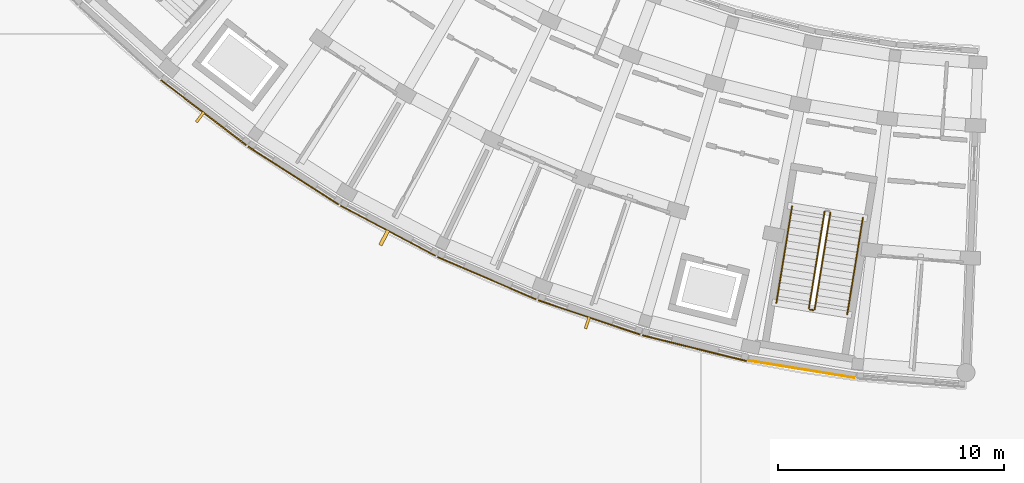
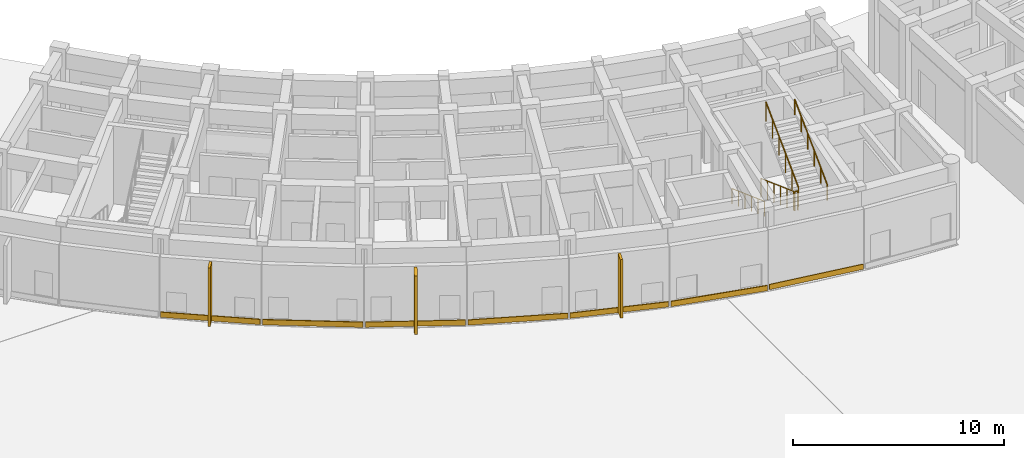
# One storey, part 50 of 61: 7 coverings, 5 railings, 3 shading devices.
"""IFC4 building model written with IfcOpenShell, lengths in metres."""

import ifcopenshell
import ifcopenshell.guid

model = None  # the IFC model being written
_history = None  # IfcOwnerHistory: only IFC2X3 demands one
_inside = {}  # id of a spatial element -> (the spatial element, [elements in it])
_under = {}  # id of a project, library or spatial element -> (it, [spatial elements below it])
_declared = {}  # id of a project -> (the project, [libraries it declares])
_typed = {}  # id of a type object -> (the type object, [elements of that type])
_made_of = {}  # id of a material, layer set ... -> (it, [elements and type objects made of it])


def new_model(schema):
    """Start an empty IFC model of exactly this schema.

    Asked for "IFC4X3", IfcOpenShell would pick the latest addendum, in which some entities
    have other attributes; the version numbers below select the first issue.
    IFC2X3 requires an IfcOwnerHistory on every rooted entity: one is made here for all.
    """
    global model, _history
    if schema == "IFC4X3":
        model = ifcopenshell.file(schema_version=(4, 3, 0, 0))
    else:
        model = ifcopenshell.file(schema=schema)
    _inside.clear()
    _under.clear()
    _declared.clear()
    _typed.clear()
    _made_of.clear()
    _history = None
    if model.schema == "IFC2X3":
        org = make("IfcOrganization", Name="unknown")
        user = make(
            "IfcPersonAndOrganization",
            ThePerson=make("IfcPerson", FamilyName="unknown"),
            TheOrganization=org,
        )
        app = make(
            "IfcApplication",
            ApplicationDeveloper=org,
            Version="unknown",
            ApplicationFullName="unknown",
            ApplicationIdentifier="unknown",
        )
        _history = make(
            "IfcOwnerHistory",
            OwningUser=user,
            OwningApplication=app,
            ChangeAction="ADDED",
            CreationDate=0,
        )
    return model


def make(cls, **values):
    """One entity of the class cls with the attributes given. An attribute that is None is left unset."""
    return model.create_entity(
        cls, **{name: value for name, value in values.items() if value is not None}
    )


def rooted(cls, **values):
    """An entity with a GlobalId (a new one), such as an element, a storey or a relation."""
    return make(cls, GlobalId=ifcopenshell.guid.new(), OwnerHistory=_history, **values)


def si_unit(unit_type, name, prefix=None):
    """IfcSIUnit, for example si_unit("LENGTHUNIT", "METRE", prefix="MILLI")."""
    return make("IfcSIUnit", UnitType=unit_type, Prefix=prefix, Name=name)


def assignment(units):
    """IfcUnitAssignment: the units of a project."""
    return None if units is None else make("IfcUnitAssignment", Units=units)


def point(xyz):
    """IfcCartesianPoint."""
    return None if xyz is None else make("IfcCartesianPoint", Coordinates=xyz)


def direction(xyz):
    """IfcDirection."""
    return None if xyz is None else make("IfcDirection", DirectionRatios=xyz)


def frame(location, z_axis=None, x_axis=None):
    """IfcAxis2Placement3D, a coordinate frame: its origin and axes. An axis left out is left unset."""
    return make(
        "IfcAxis2Placement3D",
        Location=point(location),
        Axis=direction(z_axis),
        RefDirection=direction(x_axis),
    )


def frame_2d(location, x_axis=None):
    """IfcAxis2Placement2D, a coordinate frame in the plane: its origin and x axis."""
    return make(
        "IfcAxis2Placement2D", Location=point(location), RefDirection=direction(x_axis)
    )


def origin():
    """The frame at (0, 0, 0) with its axes left unset."""
    return frame((0.0, 0.0, 0.0))


def origin_2d():
    """The frame at (0, 0) in the plane with its x axis left unset."""
    return frame_2d((0.0, 0.0))


def place(relative_to, where):
    """IfcLocalPlacement: puts the frame where relative to a parent placement (None: the world)."""
    return make(
        "IfcLocalPlacement", PlacementRelTo=relative_to, RelativePlacement=where
    )


def context(
    kind, dimensions, precision=None, world=None, true_north=None, identifier=None
):
    """IfcGeometricRepresentationContext, for example the 3D "Model" context."""
    return make(
        "IfcGeometricRepresentationContext",
        ContextIdentifier=identifier,
        ContextType=kind,
        CoordinateSpaceDimension=dimensions,
        Precision=precision,
        WorldCoordinateSystem=world,
        TrueNorth=true_north,
    )


def subcontext(parent, identifier, kind, view, scale=None):
    """IfcGeometricRepresentationSubContext, for example "Body" below "Model"."""
    return make(
        "IfcGeometricRepresentationSubContext",
        ContextIdentifier=identifier,
        ContextType=kind,
        ParentContext=parent,
        TargetScale=scale,
        TargetView=view,
    )


def project(units=None, contexts=None):
    """IfcProject with its units and contexts."""
    return rooted(
        "IfcProject",
        Name="project",
        RepresentationContexts=contexts,
        UnitsInContext=assignment(units),
    )


def spatial(cls, under=None, at=None, **own):
    """A site, building, storey or space (cls), placed at a placement, below another one or the project."""
    s = rooted(cls, ObjectPlacement=at, **own)
    if under is not None:
        _under.setdefault(under.id(), (under, []))[1].append(s)
    return s


def profile(cls, at=None, kind="AREA", **sizes):
    """A parametric profile (cls). Its sizes go by their IFC names, for example OverallWidth=200.0."""
    return make(cls, ProfileType=kind, Position=at, **sizes)


def rectangle(**sizes):
    """IfcRectangleProfileDef."""
    return profile("IfcRectangleProfileDef", **sizes)


def circle(**sizes):
    """IfcCircleProfileDef."""
    return profile("IfcCircleProfileDef", **sizes)


def extrude(swept, where, along, depth):
    """IfcExtrudedAreaSolid: the profile swept, set in the frame where, extruded along a direction by depth."""
    return make(
        "IfcExtrudedAreaSolid",
        SweptArea=swept,
        Position=where,
        ExtrudedDirection=direction(along),
        Depth=depth,
    )


def shape(context_of_items, identifier, shape_type, items):
    """IfcShapeRepresentation: the items that make up one representation, for example the "Body"."""
    return make(
        "IfcShapeRepresentation",
        ContextOfItems=context_of_items,
        RepresentationIdentifier=identifier,
        RepresentationType=shape_type,
        Items=items,
    )


def material(Name=None, Category=None):
    """IfcMaterial."""
    return make("IfcMaterial", Name=Name, Category=Category)


def layer(
    of_material, thickness, ventilated=None, Name=None, Category=None, Priority=None
):
    """IfcMaterialLayer: one layer of a wall or slab, of a material (None: an air gap)."""
    return make(
        "IfcMaterialLayer",
        Material=of_material,
        LayerThickness=thickness,
        IsVentilated=ventilated,
        Name=Name,
        Category=Category,
        Priority=Priority,
    )


def layer_set(layers, Name=None):
    """IfcMaterialLayerSet."""
    return make("IfcMaterialLayerSet", MaterialLayers=layers, LayerSetName=Name)


def made_of(thing, what):
    """Note that an element or type object is made of a material, layer set ...; save() writes the relation."""
    if what is not None:
        _made_of.setdefault(what.id(), (what, []))[1].append(thing)
    return thing


def type_object(cls, material=None, **own):
    """A type object (cls), such as IfcWallType, which elements share."""
    return made_of(rooted(cls, **own), material)


def element(
    cls,
    number,
    at=None,
    inside=None,
    cuts=None,
    type_object=None,
    material=None,
    context=None,
    identifier="Body",
    shape_type=None,
    held_by="IfcProductDefinitionShape",
    body=None,
    shapes=None,
    **own,
):
    """One element of the class cls, such as IfcWall. Its Tag is "e" and its number.

    at: its placement. inside: the storey or other place that contains it. cuts: it is an
    opening in that element (IfcRelVoidsElement). A single representation is given by context,
    identifier, shape_type and body (its items); several are given by shapes. held_by: the class
    of the entity that holds the representations. save() writes the other relations.
    """
    e = rooted(cls, Tag="e%d" % number, ObjectPlacement=at, **own)
    if body is not None:
        shapes = [shape(context, identifier, shape_type, body)]
    if shapes is not None:
        e.Representation = make(held_by, Representations=shapes)
    if inside is not None:
        _inside.setdefault(inside.id(), (inside, []))[1].append(e)
    if cuts is not None:
        rooted(
            "IfcRelVoidsElement", RelatingBuildingElement=cuts, RelatedOpeningElement=e
        )
    if type_object is not None:
        _typed.setdefault(type_object.id(), (type_object, []))[1].append(e)
    return made_of(e, material)


def aggregate(whole, parts):
    """IfcRelAggregates: a whole, such as a stair, and the parts it consists of."""
    return rooted("IfcRelAggregates", RelatingObject=whole, RelatedObjects=parts)


def save(model, path):
    """Write the relations noted so far, then the file.

    IfcRelAggregates (storeys below a building ...), IfcRelContainedInSpatialStructure (elements
    in a storey), IfcRelDefinesByType, IfcRelAssociatesMaterial and IfcRelDeclares: one each for
    every whole, place, type object, material and project.
    """
    for whole, parts in _under.values():
        aggregate(whole, parts)
    for where, things in _inside.values():
        rooted(
            "IfcRelContainedInSpatialStructure",
            RelatedElements=things,
            RelatingStructure=where,
        )
    for kind, things in _typed.values():
        rooted("IfcRelDefinesByType", RelatedObjects=things, RelatingType=kind)
    for what, things in _made_of.values():
        rooted("IfcRelAssociatesMaterial", RelatedObjects=things, RelatingMaterial=what)
    for by, libraries in _declared.values():
        rooted("IfcRelDeclares", RelatingContext=by, RelatedDefinitions=libraries)
    model.write(path)


model = new_model("IFC4")

# Units and contexts
model_context = context("Model", 3, precision=1e-05, world=origin(), true_north=direction((0.0, 1.0)))
body_context = subcontext(model_context, "Body", "Model", "MODEL_VIEW")
ifc_project = project(units=[si_unit("LENGTHUNIT", "METRE"), si_unit("AREAUNIT", "SQUARE_METRE"), si_unit("VOLUMEUNIT", "CUBIC_METRE"), si_unit("PLANEANGLEUNIT", "RADIAN"), si_unit("MASSUNIT", "GRAM", prefix="KILO")], contexts=[model_context])

# Site, building, storey
site_placement = place(None, origin())
site = spatial("IfcSite", under=ifc_project, at=site_placement, CompositionType="ELEMENT")
building_placement = place(site_placement, origin())
building = spatial("IfcBuilding", under=site, at=building_placement, Name="Zimvara Arc Housing Community", CompositionType="ELEMENT")
storey_placement = place(building_placement, origin())
storey = spatial("IfcBuildingStorey", under=building, at=storey_placement, Name="L00", CompositionType="ELEMENT", Elevation=0.0)

# Coverings
ifc_material_1 = material(Name="Pale-Gold Anodised Aluminium Cladding", Category="aluminium")
ifc_layer_1 = layer(ifc_material_1, 0.0400390625)
ifc_layer_set_1 = layer_set([ifc_layer_1], Name="Pale-Gold Anodised Aluminium Cladding")
covering_type_1 = type_object("IfcCoveringType", Name="CLD-GOLD-01", PredefinedType="CLADDING", material=ifc_layer_set_1)
for number, where, z_axis, x_axis, name in (
    (1, (98.109619140625, 57.310791015625, 0.009765625), (0.0, 0.0, 1.0), (0.88343873811, -0.468546684981, 0.0), "cld:blkC:L00:out:b4"),
    (2, (116.453125, 51.169677734375, 0.009765625), (0.0, 0.0, 1.0), (0.987080395872, -0.160225753504, 0.0), "cld:blkC:L00:out:b8"),
):
    element("IfcCovering", number, at=place(storey_placement, frame(where, z_axis=z_axis, x_axis=x_axis)), inside=storey, type_object=covering_type_1, Name=name, PredefinedType="CLADDING", context=body_context, shape_type="SweptSolid", body=[
        extrude(rectangle(XDim=4.748779296875, YDim=0.0400390625, at=origin_2d()), origin(), (0.0, 0.0, 1.0), 0.300048828125),
    ])
ifc_material_2 = material(Name="Pale-Gold Anodised Aluminium Cladding", Category="aluminium")
ifc_layer_2 = layer(ifc_material_2, 0.044921875)
ifc_layer_set_2 = layer_set([ifc_layer_2], Name="Pale-Gold Anodised Aluminium Cladding")
covering_type_2 = type_object("IfcCoveringType", Name="CLD-GOLD-02", PredefinedType="CLADDING", material=ifc_layer_set_2)
covering_placement = place(storey_placement, frame((102.48828125, 55.2080078125, 0.009765625), z_axis=(0.0, 0.0, 1.0), x_axis=(0.918721611116, -0.394905813161, 0.0)))
element("IfcCovering", 3, at=covering_placement, inside=storey, type_object=covering_type_2, Name="cld:blkC:L00:out:b5", PredefinedType="CLADDING", context=body_context, shape_type="SweptSolid", body=[
    extrude(rectangle(XDim=4.748779296875, YDim=0.044921875, at=origin_2d()), origin(), (0.0, 0.0, 1.0), 0.300048828125),
])
ifc_material_3 = material(Name="Pale-Gold Anodised Aluminium Cladding", Category="aluminium")
ifc_layer_3 = layer(ifc_material_3, 0.050048828125)
ifc_layer_set_3 = layer_set([ifc_layer_3], Name="Pale-Gold Anodised Aluminium Cladding")
covering_type_3 = type_object("IfcCoveringType", Name="CLD-GOLD-03", PredefinedType="CLADDING", material=ifc_layer_set_3)
for number, where, z_axis, x_axis, name in (
    (4, (89.934326171875, 62.543212890625, 0.009765625), (0.0, 0.0, 1.0), (0.795474538503, -0.605987011902, 0.0), "cld:blkC:L00:out:b2"),
    (5, (107.02392578125, 53.46826171875, 0.009765625), (0.0, 0.0, 1.0), (0.947879690069, -0.318628456287, 0.0), "cld:blkC:L00:out:b6"),
):
    element("IfcCovering", number, at=place(storey_placement, frame(where, z_axis=z_axis, x_axis=x_axis)), inside=storey, type_object=covering_type_3, Name=name, PredefinedType="CLADDING", context=body_context, shape_type="SweptSolid", body=[
        extrude(rectangle(XDim=4.748779296875, YDim=0.050048828125, at=origin_2d()), origin(), (0.0, 0.0, 1.0), 0.300048828125),
    ])
ifc_material_4 = material(Name="Pale-Gold Anodised Aluminium Cladding", Category="aluminium")
ifc_layer_4 = layer(ifc_material_4, 0.054931640625)
ifc_layer_set_4 = layer_set([ifc_layer_4], Name="Pale-Gold Anodised Aluminium Cladding")
covering_type_4 = type_object("IfcCoveringType", Name="CLD-GOLD-04", PredefinedType="CLADDING", material=ifc_layer_set_4)
for number, where, z_axis, x_axis, name in (
    (6, (93.91259765625, 59.75634765625, 0.009765625), (0.0, 0.0, 1.0), (0.842265220048, -0.53906335351, 0.0), "cld:blkC:L00:out:b3"),
    (7, (111.687255859375, 52.105224609375, 0.009765625), (0.0, 0.0, 1.0), (0.9707160623, -0.240229736697, 0.0), "cld:blkC:L00:out:b7"),
):
    element("IfcCovering", number, at=place(storey_placement, frame(where, z_axis=z_axis, x_axis=x_axis)), inside=storey, type_object=covering_type_4, Name=name, PredefinedType="CLADDING", context=body_context, shape_type="SweptSolid", body=[
        extrude(rectangle(XDim=4.748779296875, YDim=0.054931640625, at=origin_2d()), origin(), (0.0, 0.0, 1.0), 0.300048828125),
    ])

# Railings
ifc_material_5 = material(Name="Anodised Aluminium AW-6063", Category="aluminium")
railing_type_1 = type_object("IfcRailingType", Name="RLG-BAL-1120", PredefinedType="BALUSTRADE", material=ifc_material_5)
railing_1_placement = place(storey_placement, frame((117.455810546875, 58.15771484375, 0.14990234375)))
element("IfcRailing", 8, at=railing_1_placement, inside=storey, type_object=railing_type_1, Name="L00 ST-C2 stair guard 1", PredefinedType="BALUSTRADE", context=body_context, shape_type="SweptSolid", body=[
    extrude(circle(Radius=0.02392578125, at=origin_2d()), frame((0.0, 0.0, 1.09619140625), z_axis=(-0.14421358353, -0.888523788692, 0.435577684523), x_axis=(0.987082886387, -0.160210409781, 0.0)), (0.0, 0.0, 1.0), 4.8212890625),
    extrude(circle(Radius=0.02099609375, at=origin_2d()), origin(), (0.0, 0.0, 1.0), 1.072021484375),
    extrude(circle(Radius=0.02099609375, at=origin_2d()), frame((-0.13916015625, -0.856689453125, 0.419921875)), (0.0, 0.0, 1.0), 1.072021484375),
    extrude(circle(Radius=0.02099609375, at=origin_2d()), frame((-0.278076171875, -1.713623046875, 0.840087890625)), (0.0, 0.0, 1.0), 1.072021484375),
    extrude(circle(Radius=0.02099609375, at=origin_2d()), frame((-0.417236328125, -2.5703125, 1.260009765625)), (0.0, 0.0, 1.0), 1.072021484375),
    extrude(circle(Radius=0.02099609375, at=origin_2d()), frame((-0.55615234375, -3.42724609375, 1.68017578125)), (0.0, 0.0, 1.0), 1.072021484375),
    extrude(circle(Radius=0.02099609375, at=origin_2d()), frame((-0.6953125, -4.283935546875, 2.10009765625)), (0.0, 0.0, 1.0), 1.072021484375),
])
railing_2_placement = place(storey_placement, frame((116.8017578125, 53.81640625, 2.25)))
element("IfcRailing", 9, at=railing_2_placement, inside=storey, type_object=railing_type_1, Name="L00 ST-C2 stair guard 2", PredefinedType="BALUSTRADE", context=body_context, shape_type="SweptSolid", body=[
    extrude(circle(Radius=0.02392578125, at=origin_2d()), frame((0.0, 0.0, 1.09619140625), z_axis=(0.987085924886, -0.160191687964, 0.0), x_axis=(0.160191687964, 0.987085924886, 0.0)), (0.0, 0.0, 1.0), 0.159912109375),
    extrude(circle(Radius=0.02099609375, at=origin_2d()), origin(), (0.0, 0.0, 1.0), 1.072021484375),
    extrude(circle(Radius=0.02099609375, at=origin_2d()), frame((0.157958984375, -0.025634765625, 0.0)), (0.0, 0.0, 1.0), 1.072021484375),
])
railing_3_placement = place(storey_placement, frame((117.01708984375, 53.832275390625, 2.39990234375)))
element("IfcRailing", 10, at=railing_3_placement, inside=storey, type_object=railing_type_1, Name="L00 ST-C2 stair guard 3", PredefinedType="BALUSTRADE", context=body_context, shape_type="SweptSolid", body=[
    extrude(circle(Radius=0.02392578125, at=origin_2d()), frame((0.0, 0.0, 1.09619140625), z_axis=(0.14421358353, 0.888523788692, 0.435577684523), x_axis=(-0.987082886387, 0.160210409781, 0.0)), (0.0, 0.0, 1.0), 4.8212890625),
    extrude(circle(Radius=0.02099609375, at=origin_2d()), origin(), (0.0, 0.0, 1.0), 1.072021484375),
    extrude(circle(Radius=0.02099609375, at=origin_2d()), frame((0.13916015625, 0.856689453125, 0.419921875)), (0.0, 0.0, 1.0), 1.072021484375),
    extrude(circle(Radius=0.02099609375, at=origin_2d()), frame((0.278076171875, 1.713623046875, 0.840087890625)), (0.0, 0.0, 1.0), 1.072021484375),
    extrude(circle(Radius=0.02099609375, at=origin_2d()), frame((0.417236328125, 2.5703125, 1.260009765625)), (0.0, 0.0, 1.0), 1.072021484375),
    extrude(circle(Radius=0.02099609375, at=origin_2d()), frame((0.55615234375, 3.42724609375, 1.68017578125)), (0.0, 0.0, 1.0), 1.072021484375),
    extrude(circle(Radius=0.02099609375, at=origin_2d()), frame((0.6953125, 4.283935546875, 2.10009765625)), (0.0, 0.0, 1.0), 1.072021484375),
])
ifc_material_6 = material(Name="Anodised Aluminium AW-6063", Category="aluminium")
railing_type_2 = type_object("IfcRailingType", Name="RLG-HND-900", PredefinedType="HANDRAIL", material=ifc_material_6)
railing_4_placement = place(storey_placement, frame((116.0146484375, 58.391845703125, 0.14990234375)))
element("IfcRailing", 11, at=railing_4_placement, inside=storey, type_object=railing_type_2, Name="L00 ST-C2 stair handrail 1", PredefinedType="HANDRAIL", context=body_context, shape_type="SweptSolid", body=[
    extrude(circle(Radius=0.02392578125, at=origin_2d()), frame((0.0, 0.0, 0.8759765625), z_axis=(-0.14421358353, -0.888523788692, 0.435577684523), x_axis=(0.987082886387, -0.160210409781, 0.0)), (0.0, 0.0, 1.0), 4.8212890625),
    extrude(circle(Radius=0.02099609375, at=origin_2d()), origin(), (0.0, 0.0, 1.0), 0.851806640625),
    extrude(circle(Radius=0.02099609375, at=origin_2d()), frame((-0.13916015625, -0.856689453125, 0.419921875)), (0.0, 0.0, 1.0), 0.851806640625),
    extrude(circle(Radius=0.02099609375, at=origin_2d()), frame((-0.278076171875, -1.713623046875, 0.840087890625)), (0.0, 0.0, 1.0), 0.851806640625),
    extrude(circle(Radius=0.02099609375, at=origin_2d()), frame((-0.417236328125, -2.5703125, 1.260009765625)), (0.0, 0.0, 1.0), 0.851806640625),
    extrude(circle(Radius=0.02099609375, at=origin_2d()), frame((-0.55615234375, -3.42724609375, 1.68017578125)), (0.0, 0.0, 1.0), 0.851806640625),
    extrude(circle(Radius=0.02099609375, at=origin_2d()), frame((-0.6953125, -4.283935546875, 2.10009765625)), (0.0, 0.0, 1.0), 0.851806640625),
])
railing_5_placement = place(storey_placement, frame((118.458251953125, 53.598388671875, 2.39990234375)))
element("IfcRailing", 12, at=railing_5_placement, inside=storey, type_object=railing_type_2, Name="L00 ST-C2 stair handrail 2", PredefinedType="HANDRAIL", context=body_context, shape_type="SweptSolid", body=[
    extrude(circle(Radius=0.02392578125, at=origin_2d()), frame((0.0, 0.0, 0.8759765625), z_axis=(0.14421358353, 0.888523788692, 0.435577684523), x_axis=(-0.987082886387, 0.160210409781, 0.0)), (0.0, 0.0, 1.0), 4.8212890625),
    extrude(circle(Radius=0.02099609375, at=origin_2d()), origin(), (0.0, 0.0, 1.0), 0.851806640625),
    extrude(circle(Radius=0.02099609375, at=origin_2d()), frame((0.13916015625, 0.856689453125, 0.419921875)), (0.0, 0.0, 1.0), 0.851806640625),
    extrude(circle(Radius=0.02099609375, at=origin_2d()), frame((0.278076171875, 1.713623046875, 0.840087890625)), (0.0, 0.0, 1.0), 0.851806640625),
    extrude(circle(Radius=0.02099609375, at=origin_2d()), frame((0.417236328125, 2.5703125, 1.260009765625)), (0.0, 0.0, 1.0), 0.851806640625),
    extrude(circle(Radius=0.02099609375, at=origin_2d()), frame((0.55615234375, 3.42724609375, 1.68017578125)), (0.0, 0.0, 1.0), 0.851806640625),
    extrude(circle(Radius=0.02099609375, at=origin_2d()), frame((0.6953125, 4.283935546875, 2.10009765625)), (0.0, 0.0, 1.0), 0.851806640625),
])

# Shading devices
ifc_material_7 = material(Name="Board-Marked Fair-Faced Concrete C40/50", Category="concrete")
shading_device_type_1 = type_object("IfcShadingDeviceType", Name="SHD-FIN-01", PredefinedType="JALOUSIE", material=ifc_material_7)
for number, where, z_axis, x_axis, name in (
    (13, (89.783447265625, 62.34521484375, 0.0400390625), (0.0, 0.0, 1.0), (0.795474538503, -0.605987011902, 0.0), "fin:blkC:L00:out:b2"),
    (14, (106.944580078125, 53.232177734375, 0.0400390625), (0.0, 0.0, 1.0), (0.947879690069, -0.318628456287, 0.0), "fin:blkC:L00:out:b6"),
):
    element("IfcShadingDevice", number, at=place(storey_placement, frame(where, z_axis=z_axis, x_axis=x_axis)), inside=storey, type_object=shading_device_type_1, Name=name, PredefinedType="JALOUSIE", context=body_context, shape_type="SweptSolid", body=[
        extrude(rectangle(XDim=0.1201171875, YDim=0.550048828125, at=origin_2d()), origin(), (0.0, 0.0, 1.0), 3.3701171875),
    ])
ifc_material_8 = material(Name="Board-Marked Fair-Faced Concrete C40/50", Category="concrete")
shading_device_type_2 = type_object("IfcShadingDeviceType", Name="SHD-FIN-03", PredefinedType="JALOUSIE", material=ifc_material_8)
shading_device_placement = place(storey_placement, frame((97.94384765625, 56.998046875, 0.0400390625), z_axis=(0.0, 0.0, 1.0), x_axis=(0.88343873811, -0.468546684981, 0.0)))
element("IfcShadingDevice", 15, at=shading_device_placement, inside=storey, type_object=shading_device_type_2, Name="fin:blkC:L00:out:b4", PredefinedType="JALOUSIE", context=body_context, shape_type="SweptSolid", body=[
    extrude(rectangle(XDim=0.159912109375, YDim=0.75, at=origin_2d()), origin(), (0.0, 0.0, 1.0), 3.3701171875),
])

save(model, "model.ifc")
